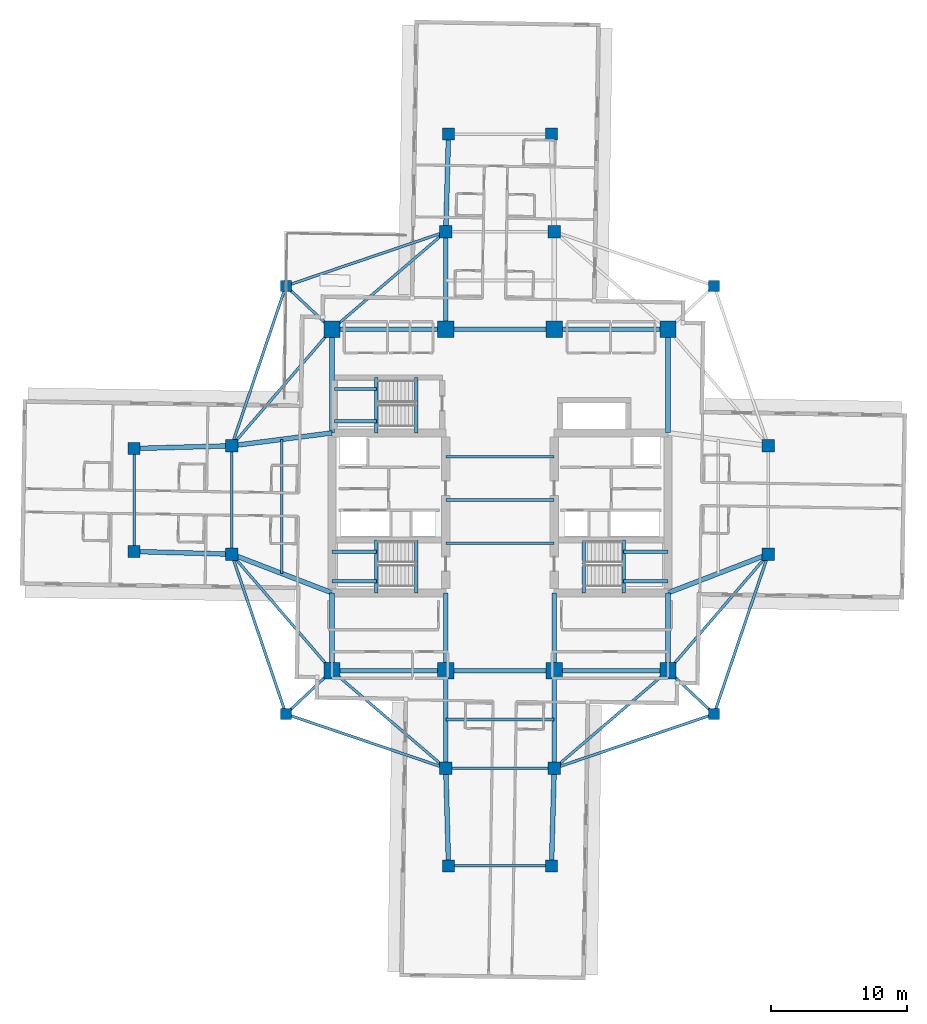
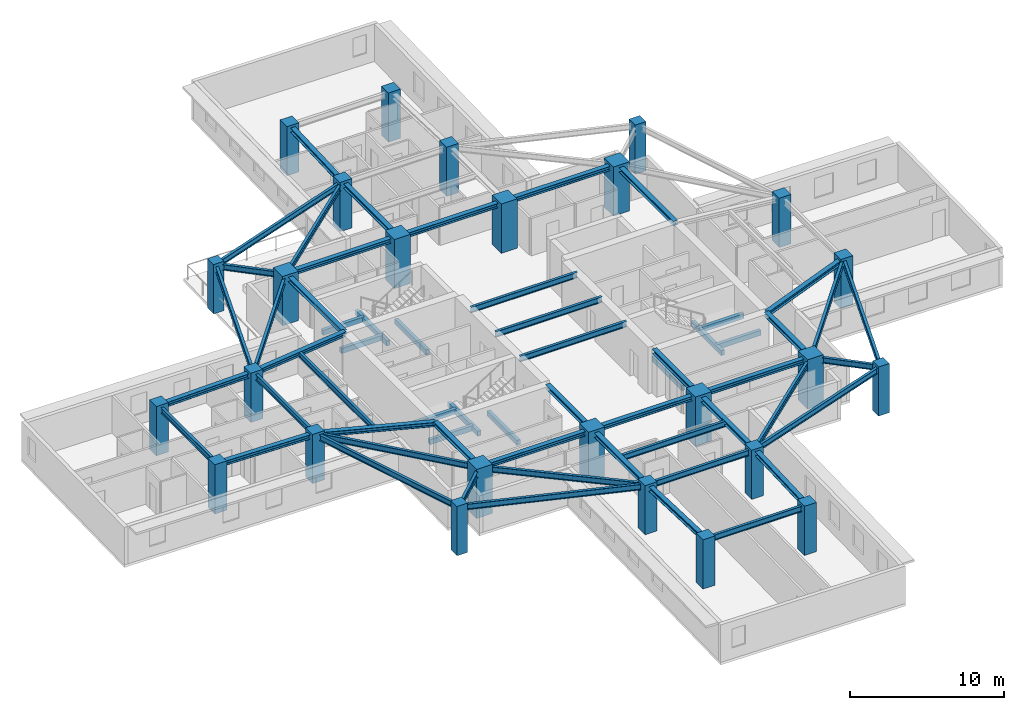
# One storey, part 1 of 13: 59 beams, 26 columns.
"""IFC4 building model written with IfcOpenShell, lengths in metres."""

from ifc_helpers import new_model, si_unit, direction, frame, origin, origin_2d, place, context, subcontext, project, spatial, rectangle, i_section, extrude, material, material_profile, profile_set, type_object, element, save


model = new_model("IFC4")

# Units and contexts
model_context = context("Model", 3, precision=1e-05, world=origin(), true_north=direction((0.0, 1.0)))
body_context = subcontext(model_context, "Body", "Model", "MODEL_VIEW")
ifc_project = project(units=[si_unit("LENGTHUNIT", "METRE"), si_unit("AREAUNIT", "SQUARE_METRE"), si_unit("VOLUMEUNIT", "CUBIC_METRE"), si_unit("PLANEANGLEUNIT", "RADIAN"), si_unit("MASSUNIT", "GRAM", prefix="KILO")], contexts=[model_context])

# Site, building, storey
site_placement = place(None, origin())
site = spatial("IfcSite", under=ifc_project, at=site_placement, CompositionType="ELEMENT")
building_placement = place(site_placement, origin())
building = spatial("IfcBuilding", under=site, at=building_placement, Name="Qingluan Cross Belvedere", CompositionType="ELEMENT")
storey_placement = place(building_placement, frame((0.0, 0.0, 148.800048828125)))
storey = spatial("IfcBuildingStorey", under=building, at=storey_placement, Name="L37", CompositionType="ELEMENT", Elevation=148.800048828125)

# Columns
ifc_material_1 = material(Name="Concrete C60", Category="concrete")
ifc_material_profile_1 = material_profile(ifc_material_1, rectangle(XDim=1.199951171875, YDim=1.199951171875, at=origin_2d()), Name="RC1200x1200")
ifc_profile_set_1 = profile_set([ifc_material_profile_1], Name="Concrete C60")
column_type_1 = type_object("IfcColumnType", Name="Column_RC1200x1200", PredefinedType="COLUMN", material=ifc_profile_set_1)
for number, where, z_axis, x_axis, name in (
    (1, (-12.39990234375, -12.60009765625, 0.0), (0.0, 0.0, 1.0), (1.0, 0.0, 0.0), "Hub column L37-HC1"),
    (2, (12.39990234375, -12.60009765625, 0.0), (0.0, 0.0, 1.0), (1.0, 0.0, 0.0), "Hub column L37-HC2"),
    (3, (12.39990234375, 12.60009765625, 0.0), (0.0, 0.0, 1.0), (1.0, 0.0, 0.0), "Hub column L37-HC3"),
    (4, (-12.39990234375, 12.60009765625, 0.0), (0.0, 0.0, 1.0), (1.0, 0.0, 0.0), "Hub column L37-HC4"),
    (5, (-4.0, -12.60009765625, 0.0), (0.0, 0.0, 1.0), (1.0, 0.0, 0.0), "Hub column L37-HC5"),
    (6, (4.0, -12.60009765625, 0.0), (0.0, 0.0, 1.0), (1.0, 0.0, 0.0), "Hub column L37-HC6"),
    (7, (4.0, 12.60009765625, 0.0), (0.0, 0.0, 1.0), (1.0, 0.0, 0.0), "Hub column L37-HC7"),
    (8, (-4.0, 12.60009765625, 0.0), (0.0, 0.0, 1.0), (1.0, 0.0, 0.0), "Hub column L37-HC8"),
):
    element("IfcColumn", number, at=place(storey_placement, frame(where, z_axis=z_axis, x_axis=x_axis)), inside=storey, type_object=column_type_1, Name=name, PredefinedType="COLUMN", context=body_context, shape_type="SweptSolid", body=[
        extrude(rectangle(XDim=1.199951171875, YDim=1.199951171875, at=origin_2d()), origin(), (0.0, 0.0, 1.0), 3.89990234375),
    ])
ifc_material_2 = material(Name="Concrete C50", Category="concrete")
ifc_material_profile_2 = material_profile(ifc_material_2, rectangle(XDim=0.800048828125, YDim=0.800048828125, at=origin_2d()), Name="RC800x800")
ifc_profile_set_2 = profile_set([ifc_material_profile_2], Name="Concrete C50")
column_type_2 = type_object("IfcColumnType", Name="Column_RC800x800", PredefinedType="COLUMN", material=ifc_profile_set_2)
for number, where, z_axis, x_axis, name in (
    (9, (15.800048828125, 15.800048828125, 0.0), (0.0, 0.0, 1.0), (1.0, 0.0, 0.0), "Corner column L37-RNE"),
    (10, (-15.800048828125, 15.800048828125, 0.0), (0.0, 0.0, 1.0), (1.0, 0.0, 0.0), "Corner column L37-RNW"),
    (11, (-15.800048828125, -15.800048828125, 0.0), (0.0, 0.0, 1.0), (1.0, 0.0, 0.0), "Corner column L37-RSW"),
    (12, (15.800048828125, -15.800048828125, 0.0), (0.0, 0.0, 1.0), (1.0, 0.0, 0.0), "Corner column L37-RSE"),
):
    element("IfcColumn", number, at=place(storey_placement, frame(where, z_axis=z_axis, x_axis=x_axis)), inside=storey, type_object=column_type_2, Name=name, PredefinedType="COLUMN", context=body_context, shape_type="SweptSolid", body=[
        extrude(rectangle(XDim=0.800048828125, YDim=0.800048828125, at=origin_2d()), origin(), (0.0, 0.0, 1.0), 3.89990234375),
    ])
ifc_material_3 = material(Name="Concrete C50", Category="concrete")
ifc_material_profile_3 = material_profile(ifc_material_3, rectangle(XDim=0.89990234375, YDim=0.89990234375, at=origin_2d()), Name="RC900x900")
ifc_profile_set_3 = profile_set([ifc_material_profile_3], Name="Concrete C50")
column_type_3 = type_object("IfcColumnType", Name="Column_RC900x900", PredefinedType="COLUMN", material=ifc_profile_set_3)
for number, where, z_axis, x_axis, name in (
    (13, (19.800048828125, -4.0, 0.0), (0.0, 0.0, 1.0), (1.0, 0.0, 0.0), "Arm column L37-EIA"),
    (14, (19.800048828125, 4.0, 0.0), (0.0, 0.0, 1.0), (1.0, 0.0, 0.0), "Arm column L37-EIB"),
    (15, (-19.800048828125, -4.0, 0.0), (0.0, 0.0, 1.0), (1.0, 0.0, 0.0), "Arm column L37-WIA"),
    (16, (-19.800048828125, 4.0, 0.0), (0.0, 0.0, 1.0), (1.0, 0.0, 0.0), "Arm column L37-WIB"),
    (17, (-4.0, -19.800048828125, 0.0), (0.0, 0.0, 1.0), (1.0, 0.0, 0.0), "Arm column L37-SIA"),
    (18, (4.0, -19.800048828125, 0.0), (0.0, 0.0, 1.0), (1.0, 0.0, 0.0), "Arm column L37-SIB"),
    (19, (-4.0, 19.800048828125, 0.0), (0.0, 0.0, 1.0), (1.0, 0.0, 0.0), "Arm column L37-NIA"),
    (20, (4.0, 19.800048828125, 0.0), (0.0, 0.0, 1.0), (1.0, 0.0, 0.0), "Arm column L37-NIB"),
    (21, (-27.0, -3.800048828125, 0.0), (0.0, 0.0, 1.0), (1.0, 0.0, 0.0), "Arm column L37-WOA"),
    (22, (-27.0, 3.800048828125, 0.0), (0.0, 0.0, 1.0), (1.0, 0.0, 0.0), "Arm column L37-WOB"),
    (23, (-3.800048828125, -27.0, 0.0), (0.0, 0.0, 1.0), (1.0, 0.0, 0.0), "Arm column L37-SOA"),
    (24, (3.800048828125, -27.0, 0.0), (0.0, 0.0, 1.0), (1.0, 0.0, 0.0), "Arm column L37-SOB"),
    (25, (-3.800048828125, 27.0, 0.0), (0.0, 0.0, 1.0), (1.0, 0.0, 0.0), "Arm column L37-NOA"),
    (26, (3.800048828125, 27.0, 0.0), (0.0, 0.0, 1.0), (1.0, 0.0, 0.0), "Arm column L37-NOB"),
):
    element("IfcColumn", number, at=place(storey_placement, frame(where, z_axis=z_axis, x_axis=x_axis)), inside=storey, type_object=column_type_3, Name=name, PredefinedType="COLUMN", context=body_context, shape_type="SweptSolid", body=[
        extrude(rectangle(XDim=0.89990234375, YDim=0.89990234375, at=origin_2d()), origin(), (0.0, 0.0, 1.0), 3.89990234375),
    ])

# Beams
ifc_material_4 = material(Name="Concrete C45", Category="concrete")
ifc_material_profile_4 = material_profile(ifc_material_4, rectangle(XDim=0.25, YDim=0.39990234375, at=origin_2d()), Name="RC250x400")
ifc_profile_set_4 = profile_set([ifc_material_profile_4], Name="Concrete C45")
beam_type_1 = type_object("IfcBeamType", Name="RC_Lintel_RC250x400", PredefinedType="LINTEL", material=ifc_profile_set_4)
for number, where, z_axis, x_axis, name in (
    (27, (-6.179931640625, -6.85009765625, -0.199951171875), (0.0, 1.0, 0.0), (-1.0, 0.0, 0.0), "Stair ST1 landing beam L37"),
    (28, (6.179931640625, -6.85009765625, -0.199951171875), (0.0, 1.0, 0.0), (-1.0, 0.0, 0.0), "Stair ST2 landing beam L37"),
):
    element("IfcBeam", number, at=place(storey_placement, frame(where, z_axis=z_axis, x_axis=x_axis)), inside=storey, type_object=beam_type_1, Name=name, PredefinedType="LINTEL", context=body_context, shape_type="SweptSolid", body=[
        extrude(rectangle(XDim=0.25, YDim=0.39990234375, at=origin_2d()), origin(), (0.0, 0.0, 1.0), 3.89013671875),
    ])
beam_1_placement = place(storey_placement, frame((-6.179931640625, 4.949951171875, -0.199951171875), z_axis=(0.0, 1.0, 0.0), x_axis=(-1.0, 0.0, 0.0)))
element("IfcBeam", 29, at=beam_1_placement, inside=storey, type_object=beam_type_1, Name="Stair ST3 landing beam L37", PredefinedType="LINTEL", context=body_context, shape_type="SweptSolid", body=[
    extrude(rectangle(XDim=0.25, YDim=0.39990234375, at=origin_2d()), origin(), (0.0, 0.0, 1.0), 4.090087890625),
])
beam_2_placement = place(storey_placement, frame((-9.1298828125, -6.85009765625, 1.550048828125), z_axis=(0.0, 1.0, 0.0), x_axis=(-1.0, 0.0, 0.0)))
element("IfcBeam", 30, at=beam_2_placement, inside=storey, type_object=beam_type_1, Name="Stair ST1 beam A L37", PredefinedType="LINTEL", context=body_context, shape_type="SweptSolid", body=[
    extrude(rectangle(XDim=0.25, YDim=0.39990234375, at=origin_2d()), origin(), (0.0, 0.0, 1.0), 3.89013671875),
])
for number, where, z_axis, x_axis, name in (
    (31, (-12.39990234375, -6.0, 1.550048828125), (1.0, 0.0, 0.0), (0.0, 1.0, 0.0), "Stair ST1 beam B L37"),
    (32, (-12.39990234375, -3.81005859375, 1.550048828125), (1.0, 0.0, 0.0), (0.0, 1.0, 0.0), "Stair ST1 beam C L37"),
):
    element("IfcBeam", number, at=place(storey_placement, frame(where, z_axis=z_axis, x_axis=x_axis)), inside=storey, type_object=beam_type_1, Name=name, PredefinedType="LINTEL", context=body_context, shape_type="SweptSolid", body=[
        extrude(rectangle(XDim=0.25, YDim=0.39990234375, at=origin_2d()), origin(), (0.0, 0.0, 1.0), 3.27001953125),
    ])
beam_3_placement = place(storey_placement, frame((9.1298828125, -6.85009765625, 1.550048828125), z_axis=(0.0, 1.0, 0.0), x_axis=(-1.0, 0.0, 0.0)))
element("IfcBeam", 33, at=beam_3_placement, inside=storey, type_object=beam_type_1, Name="Stair ST2 beam A L37", PredefinedType="LINTEL", context=body_context, shape_type="SweptSolid", body=[
    extrude(rectangle(XDim=0.25, YDim=0.39990234375, at=origin_2d()), origin(), (0.0, 0.0, 1.0), 3.89013671875),
])
for number, where, z_axis, x_axis, name in (
    (34, (12.39990234375, -6.0, 1.550048828125), (-1.0, 0.0, 0.0), (0.0, -1.0, 0.0), "Stair ST2 beam B L37"),
    (35, (12.39990234375, -3.81005859375, 1.550048828125), (-1.0, 0.0, 0.0), (0.0, -1.0, 0.0), "Stair ST2 beam C L37"),
):
    element("IfcBeam", number, at=place(storey_placement, frame(where, z_axis=z_axis, x_axis=x_axis)), inside=storey, type_object=beam_type_1, Name=name, PredefinedType="LINTEL", context=body_context, shape_type="SweptSolid", body=[
        extrude(rectangle(XDim=0.25, YDim=0.39990234375, at=origin_2d()), origin(), (0.0, 0.0, 1.0), 3.27001953125),
    ])
beam_4_placement = place(storey_placement, frame((-9.1298828125, 4.949951171875, 1.550048828125), z_axis=(0.0, 1.0, 0.0), x_axis=(-1.0, 0.0, 0.0)))
element("IfcBeam", 36, at=beam_4_placement, inside=storey, type_object=beam_type_1, Name="Stair ST3 beam A L37", PredefinedType="LINTEL", context=body_context, shape_type="SweptSolid", body=[
    extrude(rectangle(XDim=0.25, YDim=0.39990234375, at=origin_2d()), origin(), (0.0, 0.0, 1.0), 4.090087890625),
])
for number, where, z_axis, x_axis, name in (
    (37, (-12.219970703125, 5.800048828125, 1.550048828125), (1.0, 0.0, 0.0), (0.0, 1.0, 0.0), "Stair ST3 beam B L37"),
    (38, (-12.219970703125, 8.18994140625, 1.550048828125), (1.0, 0.0, 0.0), (0.0, 1.0, 0.0), "Stair ST3 beam C L37"),
):
    element("IfcBeam", number, at=place(storey_placement, frame(where, z_axis=z_axis, x_axis=x_axis)), inside=storey, type_object=beam_type_1, Name=name, PredefinedType="LINTEL", context=body_context, shape_type="SweptSolid", body=[
        extrude(rectangle(XDim=0.25, YDim=0.39990234375, at=origin_2d()), origin(), (0.0, 0.0, 1.0), 3.090087890625),
    ])
ifc_material_5 = material(Name="Steel Q420GJB", Category="steel")
ifc_material_profile_5 = material_profile(ifc_material_5, i_section(OverallWidth=0.199951171875, OverallDepth=0.449951171875, WebThickness=0.009033203125, FlangeThickness=0.013916015625, FilletRadius=0.01611328125, at=origin_2d()), Name="HN450x200x9x14")
ifc_profile_set_5 = profile_set([ifc_material_profile_5], Name="Steel Q420GJB")
beam_type_2 = type_object("IfcBeamType", Name="Steel_Beam_HN450x200x9x14", PredefinedType="JOIST", material=ifc_profile_set_5)
beam_5_placement = place(storey_placement, frame((-12.39990234375, 12.60009765625, 3.454833984375), z_axis=(-0.728219948308, 0.685343495546, 0.0), x_axis=(-0.685343495546, -0.728219948308, 0.0)))
element("IfcBeam", 39, at=beam_5_placement, inside=storey, type_object=beam_type_2, Name="Corner beam 1 L37-RNW", PredefinedType="JOIST", context=body_context, shape_type="SweptSolid", body=[
    extrude(i_section(OverallWidth=0.199951171875, OverallDepth=0.449951171875, WebThickness=0.009033203125, FlangeThickness=0.013916015625, FilletRadius=0.01611328125, at=origin_2d()), origin(), (0.0, 0.0, 1.0), 4.669189453125),
])
for number, where, z_axis, x_axis, name in (
    (40, (-15.800048828125, 15.800048828125, 3.454833984375), (0.947066283324, 0.321038089628, 0.0), (-0.321038089628, 0.947066283324, 0.0), "Corner beam 2 L37-RNW"),
    (41, (-15.800048828125, 15.800048828125, 3.454833984375), (-0.321038089628, -0.947066283324, 0.0), (0.947066283324, -0.321038089628, 0.0), "Corner beam 3 L37-RNW"),
):
    element("IfcBeam", number, at=place(storey_placement, frame(where, z_axis=z_axis, x_axis=x_axis)), inside=storey, type_object=beam_type_2, Name=name, PredefinedType="JOIST", context=body_context, shape_type="SweptSolid", body=[
        extrude(i_section(OverallWidth=0.199951171875, OverallDepth=0.449951171875, WebThickness=0.009033203125, FlangeThickness=0.013916015625, FilletRadius=0.01611328125, at=origin_2d()), origin(), (0.0, 0.0, 1.0), 12.45947265625),
    ])
beam_6_placement = place(storey_placement, frame((-12.39990234375, 12.60009765625, 3.454833984375), z_axis=(-0.652245077546, -0.75800815221, 0.0), x_axis=(0.75800815221, -0.652245077546, 0.0)))
element("IfcBeam", 42, at=beam_6_placement, inside=storey, type_object=beam_type_2, Name="Corner beam 4 L37-RNW", PredefinedType="JOIST", context=body_context, shape_type="SweptSolid", body=[
    extrude(i_section(OverallWidth=0.199951171875, OverallDepth=0.449951171875, WebThickness=0.009033203125, FlangeThickness=0.013916015625, FilletRadius=0.01611328125, at=origin_2d()), origin(), (0.0, 0.0, 1.0), 11.345703125),
])
beam_7_placement = place(storey_placement, frame((-12.39990234375, 12.60009765625, 3.454833984375), z_axis=(0.759255044656, 0.650793190779, 0.0), x_axis=(-0.650793190779, 0.759255044656, 0.0)))
element("IfcBeam", 43, at=beam_7_placement, inside=storey, type_object=beam_type_2, Name="Corner beam 5 L37-RNW", PredefinedType="JOIST", context=body_context, shape_type="SweptSolid", body=[
    extrude(i_section(OverallWidth=0.199951171875, OverallDepth=0.449951171875, WebThickness=0.009033203125, FlangeThickness=0.013916015625, FilletRadius=0.01611328125, at=origin_2d()), origin(), (0.0, 0.0, 1.0), 11.063232421875),
])
beam_8_placement = place(storey_placement, frame((-12.39990234375, -12.60009765625, 3.474853515625), z_axis=(-0.728219948308, -0.685343495546, 0.0), x_axis=(0.685343495546, -0.728219948308, 0.0)))
element("IfcBeam", 44, at=beam_8_placement, inside=storey, type_object=beam_type_2, Name="Corner beam 1 L37-RSW", PredefinedType="JOIST", context=body_context, shape_type="SweptSolid", body=[
    extrude(i_section(OverallWidth=0.199951171875, OverallDepth=0.449951171875, WebThickness=0.009033203125, FlangeThickness=0.013916015625, FilletRadius=0.01611328125, at=origin_2d()), origin(), (0.0, 0.0, 1.0), 4.669189453125),
])
for number, where, z_axis, x_axis, name in (
    (45, (-15.800048828125, -15.800048828125, 3.474853515625), (0.947066283324, -0.321038089628, 0.0), (0.321038089628, 0.947066283324, 0.0), "Corner beam 2 L37-RSW"),
    (46, (-15.800048828125, -15.800048828125, 3.474853515625), (-0.321038089628, 0.947066283324, 0.0), (-0.947066283324, -0.321038089628, 0.0), "Corner beam 3 L37-RSW"),
):
    element("IfcBeam", number, at=place(storey_placement, frame(where, z_axis=z_axis, x_axis=x_axis)), inside=storey, type_object=beam_type_2, Name=name, PredefinedType="JOIST", context=body_context, shape_type="SweptSolid", body=[
        extrude(i_section(OverallWidth=0.199951171875, OverallDepth=0.449951171875, WebThickness=0.009033203125, FlangeThickness=0.013916015625, FilletRadius=0.01611328125, at=origin_2d()), origin(), (0.0, 0.0, 1.0), 12.45947265625),
    ])
beam_9_placement = place(storey_placement, frame((-12.39990234375, -12.60009765625, 3.474853515625), z_axis=(-0.652245077546, 0.75800815221, 0.0), x_axis=(-0.75800815221, -0.652245077546, 0.0)))
element("IfcBeam", 47, at=beam_9_placement, inside=storey, type_object=beam_type_2, Name="Corner beam 4 L37-RSW", PredefinedType="JOIST", context=body_context, shape_type="SweptSolid", body=[
    extrude(i_section(OverallWidth=0.199951171875, OverallDepth=0.449951171875, WebThickness=0.009033203125, FlangeThickness=0.013916015625, FilletRadius=0.01611328125, at=origin_2d()), origin(), (0.0, 0.0, 1.0), 11.345703125),
])
beam_10_placement = place(storey_placement, frame((-12.39990234375, -12.60009765625, 3.474853515625), z_axis=(0.759255044656, -0.650793190779, 0.0), x_axis=(0.650793190779, 0.759255044656, 0.0)))
element("IfcBeam", 48, at=beam_10_placement, inside=storey, type_object=beam_type_2, Name="Corner beam 5 L37-RSW", PredefinedType="JOIST", context=body_context, shape_type="SweptSolid", body=[
    extrude(i_section(OverallWidth=0.199951171875, OverallDepth=0.449951171875, WebThickness=0.009033203125, FlangeThickness=0.013916015625, FilletRadius=0.01611328125, at=origin_2d()), origin(), (0.0, 0.0, 1.0), 11.063232421875),
])
beam_11_placement = place(storey_placement, frame((12.39990234375, -12.60009765625, 3.474853515625), z_axis=(0.728219948308, -0.685343495546, 0.0), x_axis=(0.685343495546, 0.728219948308, 0.0)))
element("IfcBeam", 49, at=beam_11_placement, inside=storey, type_object=beam_type_2, Name="Corner beam 1 L37-RSE", PredefinedType="JOIST", context=body_context, shape_type="SweptSolid", body=[
    extrude(i_section(OverallWidth=0.199951171875, OverallDepth=0.449951171875, WebThickness=0.009033203125, FlangeThickness=0.013916015625, FilletRadius=0.01611328125, at=origin_2d()), origin(), (0.0, 0.0, 1.0), 4.669189453125),
])
for number, where, z_axis, x_axis, name in (
    (50, (15.800048828125, -15.800048828125, 3.474853515625), (-0.947066283324, -0.321038089628, 0.0), (0.321038089628, -0.947066283324, 0.0), "Corner beam 2 L37-RSE"),
    (51, (15.800048828125, -15.800048828125, 3.474853515625), (0.321038089628, 0.947066283324, 0.0), (-0.947066283324, 0.321038089628, 0.0), "Corner beam 3 L37-RSE"),
):
    element("IfcBeam", number, at=place(storey_placement, frame(where, z_axis=z_axis, x_axis=x_axis)), inside=storey, type_object=beam_type_2, Name=name, PredefinedType="JOIST", context=body_context, shape_type="SweptSolid", body=[
        extrude(i_section(OverallWidth=0.199951171875, OverallDepth=0.449951171875, WebThickness=0.009033203125, FlangeThickness=0.013916015625, FilletRadius=0.01611328125, at=origin_2d()), origin(), (0.0, 0.0, 1.0), 12.45947265625),
    ])
beam_12_placement = place(storey_placement, frame((12.39990234375, -12.60009765625, 3.474853515625), z_axis=(0.652245077546, 0.75800815221, 0.0), x_axis=(-0.75800815221, 0.652245077546, 0.0)))
element("IfcBeam", 52, at=beam_12_placement, inside=storey, type_object=beam_type_2, Name="Corner beam 4 L37-RSE", PredefinedType="JOIST", context=body_context, shape_type="SweptSolid", body=[
    extrude(i_section(OverallWidth=0.199951171875, OverallDepth=0.449951171875, WebThickness=0.009033203125, FlangeThickness=0.013916015625, FilletRadius=0.01611328125, at=origin_2d()), origin(), (0.0, 0.0, 1.0), 11.345703125),
])
beam_13_placement = place(storey_placement, frame((12.39990234375, -12.60009765625, 3.474853515625), z_axis=(-0.759255044656, -0.650793190779, 0.0), x_axis=(0.650793190779, -0.759255044656, 0.0)))
element("IfcBeam", 53, at=beam_13_placement, inside=storey, type_object=beam_type_2, Name="Corner beam 5 L37-RSE", PredefinedType="JOIST", context=body_context, shape_type="SweptSolid", body=[
    extrude(i_section(OverallWidth=0.199951171875, OverallDepth=0.449951171875, WebThickness=0.009033203125, FlangeThickness=0.013916015625, FilletRadius=0.01611328125, at=origin_2d()), origin(), (0.0, 0.0, 1.0), 11.063232421875),
])
for number, where, z_axis, x_axis, name in (
    (54, (-4.0, -3.199951171875, 3.474853515625), (1.0, 0.0, 0.0), (0.0, 1.0, 0.0), "Hall beam L37-CH1"),
    (55, (-4.0, 0.0, 3.474853515625), (1.0, 0.0, 0.0), (0.0, 1.0, 0.0), "Hall beam L37-CH2"),
    (56, (-4.0, 3.199951171875, 3.474853515625), (1.0, 0.0, 0.0), (0.0, 1.0, 0.0), "Hall beam L37-CH3"),
    (57, (-19.800048828125, -4.0, 3.474853515625), (0.0, 1.0, 0.0), (-1.0, 0.0, 0.0), "Arm W tie L37"),
):
    element("IfcBeam", number, at=place(storey_placement, frame(where, z_axis=z_axis, x_axis=x_axis)), inside=storey, type_object=beam_type_2, Name=name, PredefinedType="JOIST", context=body_context, shape_type="SweptSolid", body=[
        extrude(i_section(OverallWidth=0.199951171875, OverallDepth=0.449951171875, WebThickness=0.009033203125, FlangeThickness=0.013916015625, FilletRadius=0.01611328125, at=origin_2d()), origin(), (0.0, 0.0, 1.0), 8.0),
    ])
beam_14_placement = place(storey_placement, frame((-16.10009765625, -5.425048828125, 3.474853515625), z_axis=(0.0, 1.0, 0.0), x_axis=(-1.0, 0.0, 0.0)))
element("IfcBeam", 58, at=beam_14_placement, inside=storey, type_object=beam_type_2, Name="Arm W beam L37", PredefinedType="JOIST", context=body_context, shape_type="SweptSolid", body=[
    extrude(i_section(OverallWidth=0.199951171875, OverallDepth=0.449951171875, WebThickness=0.009033203125, FlangeThickness=0.013916015625, FilletRadius=0.01611328125, at=origin_2d()), origin(), (0.0, 0.0, 1.0), 9.900146484375),
])
beam_15_placement = place(storey_placement, frame((-27.0, -3.800048828125, 3.474853515625), z_axis=(0.0, 1.0, 0.0), x_axis=(-1.0, 0.0, 0.0)))
element("IfcBeam", 59, at=beam_15_placement, inside=storey, type_object=beam_type_2, Name="Arm W tip transverse beam L37", PredefinedType="JOIST", context=body_context, shape_type="SweptSolid", body=[
    extrude(i_section(OverallWidth=0.199951171875, OverallDepth=0.449951171875, WebThickness=0.009033203125, FlangeThickness=0.013916015625, FilletRadius=0.01611328125, at=origin_2d()), origin(), (0.0, 0.0, 1.0), 7.60009765625),
])
for number, where, z_axis, x_axis, name in (
    (60, (-4.0, -19.800048828125, 3.474853515625), (1.0, 0.0, 0.0), (0.0, 1.0, 0.0), "Arm S tie L37"),
    (61, (-4.0, -16.199951171875, 3.474853515625), (1.0, 0.0, 0.0), (0.0, 1.0, 0.0), "Arm S beam L37"),
):
    element("IfcBeam", number, at=place(storey_placement, frame(where, z_axis=z_axis, x_axis=x_axis)), inside=storey, type_object=beam_type_2, Name=name, PredefinedType="JOIST", context=body_context, shape_type="SweptSolid", body=[
        extrude(i_section(OverallWidth=0.199951171875, OverallDepth=0.449951171875, WebThickness=0.009033203125, FlangeThickness=0.013916015625, FilletRadius=0.01611328125, at=origin_2d()), origin(), (0.0, 0.0, 1.0), 8.0),
    ])
beam_16_placement = place(storey_placement, frame((-3.800048828125, -27.0, 3.474853515625), z_axis=(1.0, 0.0, 0.0), x_axis=(0.0, 1.0, 0.0)))
element("IfcBeam", 62, at=beam_16_placement, inside=storey, type_object=beam_type_2, Name="Arm S tip transverse beam L37", PredefinedType="JOIST", context=body_context, shape_type="SweptSolid", body=[
    extrude(i_section(OverallWidth=0.199951171875, OverallDepth=0.449951171875, WebThickness=0.009033203125, FlangeThickness=0.013916015625, FilletRadius=0.01611328125, at=origin_2d()), origin(), (0.0, 0.0, 1.0), 7.60009765625),
])
ifc_material_6 = material(Name="Steel Q420GJB", Category="steel")
ifc_material_profile_6 = material_profile(ifc_material_6, i_section(OverallWidth=0.35009765625, OverallDepth=0.35009765625, WebThickness=0.011962890625, FlangeThickness=0.01904296875, FilletRadius=0.02001953125, at=origin_2d()), Name="HW350x350x12x19")
ifc_profile_set_6 = profile_set([ifc_material_profile_6], Name="Steel Q420GJB")
beam_type_3 = type_object("IfcBeamType", Name="Steel_Girder_HW350x350x12x19", PredefinedType="USERDEFINED", material=ifc_profile_set_6)
beam_17_placement = place(storey_placement, frame((-12.39990234375, -12.60009765625, 3.52490234375), z_axis=(1.0, 0.0, 0.0), x_axis=(0.0, 1.0, 0.0)))
element("IfcBeam", 63, at=beam_17_placement, inside=storey, type_object=beam_type_3, Name="Hub girder L37-HG-S1", ObjectType="GIRDER", PredefinedType="USERDEFINED", context=body_context, shape_type="SweptSolid", body=[
    extrude(i_section(OverallWidth=0.35009765625, OverallDepth=0.35009765625, WebThickness=0.011962890625, FlangeThickness=0.01904296875, FilletRadius=0.02001953125, at=origin_2d()), origin(), (0.0, 0.0, 1.0), 8.39990234375),
])
beam_18_placement = place(storey_placement, frame((-4.0, -12.60009765625, 3.52490234375), z_axis=(1.0, 0.0, 0.0), x_axis=(0.0, 1.0, 0.0)))
element("IfcBeam", 64, at=beam_18_placement, inside=storey, type_object=beam_type_3, Name="Hub girder L37-HG-S2", ObjectType="GIRDER", PredefinedType="USERDEFINED", context=body_context, shape_type="SweptSolid", body=[
    extrude(i_section(OverallWidth=0.35009765625, OverallDepth=0.35009765625, WebThickness=0.011962890625, FlangeThickness=0.01904296875, FilletRadius=0.02001953125, at=origin_2d()), origin(), (0.0, 0.0, 1.0), 8.0),
])
for number, where, z_axis, x_axis, name in (
    (65, (4.0, -12.60009765625, 3.52490234375), (1.0, 0.0, 0.0), (0.0, 1.0, 0.0), "Hub girder L37-HG-S3"),
    (66, (-12.39990234375, 12.60009765625, 3.52490234375), (1.0, 0.0, 0.0), (0.0, 1.0, 0.0), "Hub girder L37-HG-N1"),
):
    element("IfcBeam", number, at=place(storey_placement, frame(where, z_axis=z_axis, x_axis=x_axis)), inside=storey, type_object=beam_type_3, Name=name, ObjectType="GIRDER", PredefinedType="USERDEFINED", context=body_context, shape_type="SweptSolid", body=[
        extrude(i_section(OverallWidth=0.35009765625, OverallDepth=0.35009765625, WebThickness=0.011962890625, FlangeThickness=0.01904296875, FilletRadius=0.02001953125, at=origin_2d()), origin(), (0.0, 0.0, 1.0), 8.39990234375),
    ])
beam_19_placement = place(storey_placement, frame((-4.0, 12.60009765625, 3.52490234375), z_axis=(1.0, 0.0, 0.0), x_axis=(0.0, 1.0, 0.0)))
element("IfcBeam", 67, at=beam_19_placement, inside=storey, type_object=beam_type_3, Name="Hub girder L37-HG-N2", ObjectType="GIRDER", PredefinedType="USERDEFINED", context=body_context, shape_type="SweptSolid", body=[
    extrude(i_section(OverallWidth=0.35009765625, OverallDepth=0.35009765625, WebThickness=0.011962890625, FlangeThickness=0.01904296875, FilletRadius=0.02001953125, at=origin_2d()), origin(), (0.0, 0.0, 1.0), 8.0),
])
beam_20_placement = place(storey_placement, frame((4.0, 12.60009765625, 3.52490234375), z_axis=(1.0, 0.0, 0.0), x_axis=(0.0, 1.0, 0.0)))
element("IfcBeam", 68, at=beam_20_placement, inside=storey, type_object=beam_type_3, Name="Hub girder L37-HG-N3", ObjectType="GIRDER", PredefinedType="USERDEFINED", context=body_context, shape_type="SweptSolid", body=[
    extrude(i_section(OverallWidth=0.35009765625, OverallDepth=0.35009765625, WebThickness=0.011962890625, FlangeThickness=0.01904296875, FilletRadius=0.02001953125, at=origin_2d()), origin(), (0.0, 0.0, 1.0), 8.39990234375),
])
beam_21_placement = place(storey_placement, frame((-12.39990234375, -12.60009765625, 3.52490234375), z_axis=(0.0, 1.0, 0.0), x_axis=(-1.0, 0.0, 0.0)))
element("IfcBeam", 69, at=beam_21_placement, inside=storey, type_object=beam_type_3, Name="Hub girder L37-HG-W1", ObjectType="GIRDER", PredefinedType="USERDEFINED", context=body_context, shape_type="SweptSolid", body=[
    extrude(i_section(OverallWidth=0.35009765625, OverallDepth=0.35009765625, WebThickness=0.011962890625, FlangeThickness=0.01904296875, FilletRadius=0.02001953125, at=origin_2d()), origin(), (0.0, 0.0, 1.0), 5.75),
])
beam_22_placement = place(storey_placement, frame((-12.39990234375, 4.949951171875, 3.52490234375), z_axis=(0.0, 1.0, 0.0), x_axis=(-1.0, 0.0, 0.0)))
element("IfcBeam", 70, at=beam_22_placement, inside=storey, type_object=beam_type_3, Name="Hub girder L37-HG-W2", ObjectType="GIRDER", PredefinedType="USERDEFINED", context=body_context, shape_type="SweptSolid", body=[
    extrude(i_section(OverallWidth=0.35009765625, OverallDepth=0.35009765625, WebThickness=0.011962890625, FlangeThickness=0.01904296875, FilletRadius=0.02001953125, at=origin_2d()), origin(), (0.0, 0.0, 1.0), 7.650146484375),
])
beam_23_placement = place(storey_placement, frame((12.39990234375, -12.60009765625, 3.52490234375), z_axis=(0.0, 1.0, 0.0), x_axis=(-1.0, 0.0, 0.0)))
element("IfcBeam", 71, at=beam_23_placement, inside=storey, type_object=beam_type_3, Name="Hub girder L37-HG-E1", ObjectType="GIRDER", PredefinedType="USERDEFINED", context=body_context, shape_type="SweptSolid", body=[
    extrude(i_section(OverallWidth=0.35009765625, OverallDepth=0.35009765625, WebThickness=0.011962890625, FlangeThickness=0.01904296875, FilletRadius=0.02001953125, at=origin_2d()), origin(), (0.0, 0.0, 1.0), 5.75),
])
beam_24_placement = place(storey_placement, frame((12.39990234375, 4.949951171875, 3.52490234375), z_axis=(0.0, 1.0, 0.0), x_axis=(-1.0, 0.0, 0.0)))
element("IfcBeam", 72, at=beam_24_placement, inside=storey, type_object=beam_type_3, Name="Hub girder L37-HG-E2", ObjectType="GIRDER", PredefinedType="USERDEFINED", context=body_context, shape_type="SweptSolid", body=[
    extrude(i_section(OverallWidth=0.35009765625, OverallDepth=0.35009765625, WebThickness=0.011962890625, FlangeThickness=0.01904296875, FilletRadius=0.02001953125, at=origin_2d()), origin(), (0.0, 0.0, 1.0), 7.650146484375),
])
for number, where, z_axis, x_axis, name in (
    (73, (-4.0, -12.60009765625, 3.52490234375), (0.0, 1.0, 0.0), (-1.0, 0.0, 0.0), "Hub girder L37-HG-CW"),
    (74, (4.0, -12.60009765625, 3.52490234375), (0.0, 1.0, 0.0), (-1.0, 0.0, 0.0), "Hub girder L37-HG-CE"),
):
    element("IfcBeam", number, at=place(storey_placement, frame(where, z_axis=z_axis, x_axis=x_axis)), inside=storey, type_object=beam_type_3, Name=name, ObjectType="GIRDER", PredefinedType="USERDEFINED", context=body_context, shape_type="SweptSolid", body=[
        extrude(i_section(OverallWidth=0.35009765625, OverallDepth=0.35009765625, WebThickness=0.011962890625, FlangeThickness=0.01904296875, FilletRadius=0.02001953125, at=origin_2d()), origin(), (0.0, 0.0, 1.0), 5.75),
    ])
for number, where, z_axis, x_axis, name in (
    (75, (12.39990234375, -6.85009765625, 3.52490234375), (0.933181258889, 0.359406090735, 0.0), (-0.359406090735, 0.933181258889, 0.0), "Arm E radial girder A L37"),
    (76, (-12.39990234375, -6.85009765625, 3.52490234375), (-0.933181258889, 0.359406090735, 0.0), (-0.359406090735, -0.933181258889, 0.0), "Arm W radial girder A L37"),
):
    element("IfcBeam", number, at=place(storey_placement, frame(where, z_axis=z_axis, x_axis=x_axis)), inside=storey, type_object=beam_type_3, Name=name, ObjectType="GIRDER", PredefinedType="USERDEFINED", context=body_context, shape_type="SweptSolid", body=[
        extrude(i_section(OverallWidth=0.35009765625, OverallDepth=0.35009765625, WebThickness=0.011962890625, FlangeThickness=0.01904296875, FilletRadius=0.02001953125, at=origin_2d()), origin(), (0.0, 0.0, 1.0), 7.929931640625),
    ])
beam_25_placement = place(storey_placement, frame((-12.39990234375, 4.949951171875, 3.52490234375), z_axis=(-0.991861120628, -0.12732445714, 0.0), x_axis=(0.12732445714, -0.991861120628, 0.0)))
element("IfcBeam", 77, at=beam_25_placement, inside=storey, type_object=beam_type_3, Name="Arm W radial girder B L37", ObjectType="GIRDER", PredefinedType="USERDEFINED", context=body_context, shape_type="SweptSolid", body=[
    extrude(i_section(OverallWidth=0.35009765625, OverallDepth=0.35009765625, WebThickness=0.011962890625, FlangeThickness=0.01904296875, FilletRadius=0.02001953125, at=origin_2d()), origin(), (0.0, 0.0, 1.0), 7.4609375),
])
for number, where, z_axis, x_axis, name in (
    (78, (-19.800048828125, -4.0, 3.52490234375), (-0.999614603568, 0.027760481514, 0.0), (-0.027760481514, -0.999614603568, 0.0), "Arm W outer radial girder A L37"),
    (79, (-19.800048828125, 4.0, 3.52490234375), (-0.999614603568, -0.027760481514, 0.0), (0.027760481514, -0.999614603568, 0.0), "Arm W outer radial girder B L37"),
):
    element("IfcBeam", number, at=place(storey_placement, frame(where, z_axis=z_axis, x_axis=x_axis)), inside=storey, type_object=beam_type_3, Name=name, ObjectType="GIRDER", PredefinedType="USERDEFINED", context=body_context, shape_type="SweptSolid", body=[
        extrude(i_section(OverallWidth=0.35009765625, OverallDepth=0.35009765625, WebThickness=0.011962890625, FlangeThickness=0.01904296875, FilletRadius=0.02001953125, at=origin_2d()), origin(), (0.0, 0.0, 1.0), 7.20263671875),
    ])
beam_26_placement = place(storey_placement, frame((-4.0, 12.60009765625, 3.52490234375), z_axis=(0.0, 1.0, 0.0), x_axis=(-1.0, 0.0, 0.0)))
element("IfcBeam", 80, at=beam_26_placement, inside=storey, type_object=beam_type_3, Name="Arm N radial girder A L37", ObjectType="GIRDER", PredefinedType="USERDEFINED", context=body_context, shape_type="SweptSolid", body=[
    extrude(i_section(OverallWidth=0.35009765625, OverallDepth=0.35009765625, WebThickness=0.011962890625, FlangeThickness=0.01904296875, FilletRadius=0.02001953125, at=origin_2d()), origin(), (0.0, 0.0, 1.0), 7.199951171875),
])
beam_27_placement = place(storey_placement, frame((-4.0, 19.800048828125, 3.52490234375), z_axis=(0.027760481514, 0.999614603568, 0.0), x_axis=(-0.999614603568, 0.027760481514, 0.0)))
element("IfcBeam", 81, at=beam_27_placement, inside=storey, type_object=beam_type_3, Name="Arm N outer radial girder A L37", ObjectType="GIRDER", PredefinedType="USERDEFINED", context=body_context, shape_type="SweptSolid", body=[
    extrude(i_section(OverallWidth=0.35009765625, OverallDepth=0.35009765625, WebThickness=0.011962890625, FlangeThickness=0.01904296875, FilletRadius=0.02001953125, at=origin_2d()), origin(), (0.0, 0.0, 1.0), 7.20263671875),
])
for number, where, z_axis, x_axis, name in (
    (82, (-4.0, -12.60009765625, 3.52490234375), (0.0, -1.0, 0.0), (1.0, 0.0, 0.0), "Arm S radial girder A L37"),
    (83, (4.0, -12.60009765625, 3.52490234375), (0.0, -1.0, 0.0), (1.0, 0.0, 0.0), "Arm S radial girder B L37"),
):
    element("IfcBeam", number, at=place(storey_placement, frame(where, z_axis=z_axis, x_axis=x_axis)), inside=storey, type_object=beam_type_3, Name=name, ObjectType="GIRDER", PredefinedType="USERDEFINED", context=body_context, shape_type="SweptSolid", body=[
        extrude(i_section(OverallWidth=0.35009765625, OverallDepth=0.35009765625, WebThickness=0.011962890625, FlangeThickness=0.01904296875, FilletRadius=0.02001953125, at=origin_2d()), origin(), (0.0, 0.0, 1.0), 7.199951171875),
    ])
for number, where, z_axis, x_axis, name in (
    (84, (-4.0, -19.800048828125, 3.52490234375), (0.027760481514, -0.999614603568, 0.0), (0.999614603568, 0.027760481514, 0.0), "Arm S outer radial girder A L37"),
    (85, (4.0, -19.800048828125, 3.52490234375), (-0.027760481514, -0.999614603568, 0.0), (0.999614603568, -0.027760481514, 0.0), "Arm S outer radial girder B L37"),
):
    element("IfcBeam", number, at=place(storey_placement, frame(where, z_axis=z_axis, x_axis=x_axis)), inside=storey, type_object=beam_type_3, Name=name, ObjectType="GIRDER", PredefinedType="USERDEFINED", context=body_context, shape_type="SweptSolid", body=[
        extrude(i_section(OverallWidth=0.35009765625, OverallDepth=0.35009765625, WebThickness=0.011962890625, FlangeThickness=0.01904296875, FilletRadius=0.02001953125, at=origin_2d()), origin(), (0.0, 0.0, 1.0), 7.20263671875),
    ])

save(model, "model.ifc")
